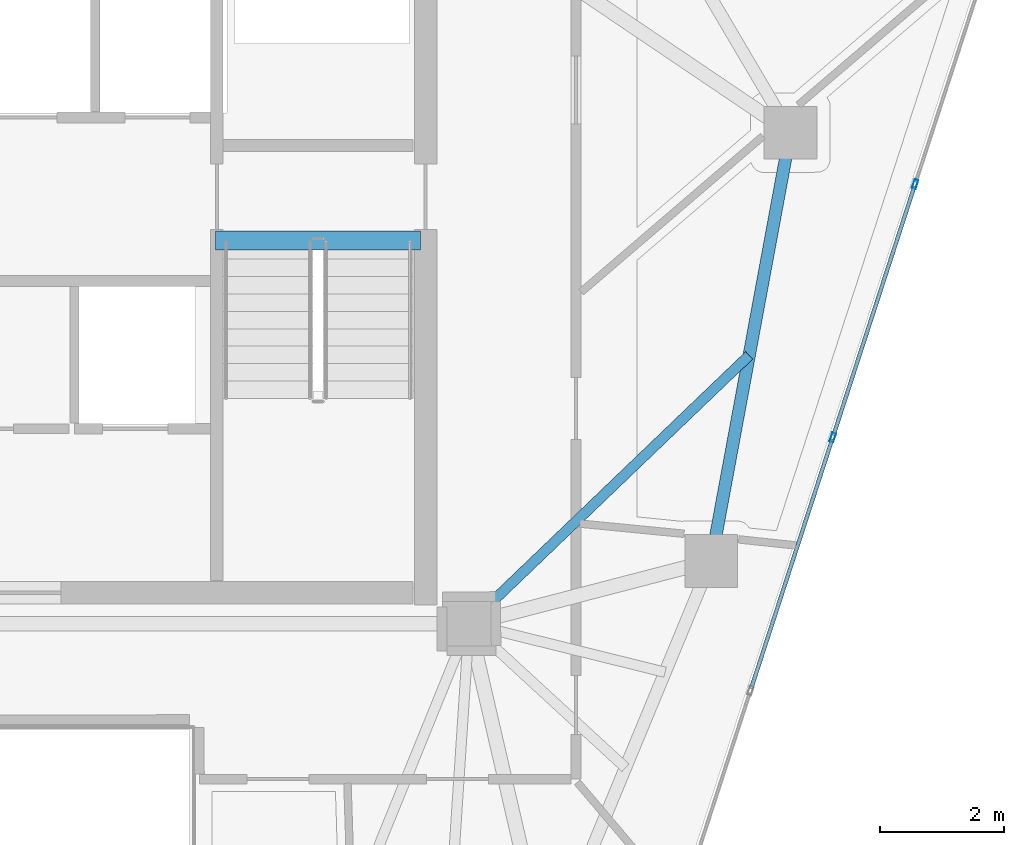
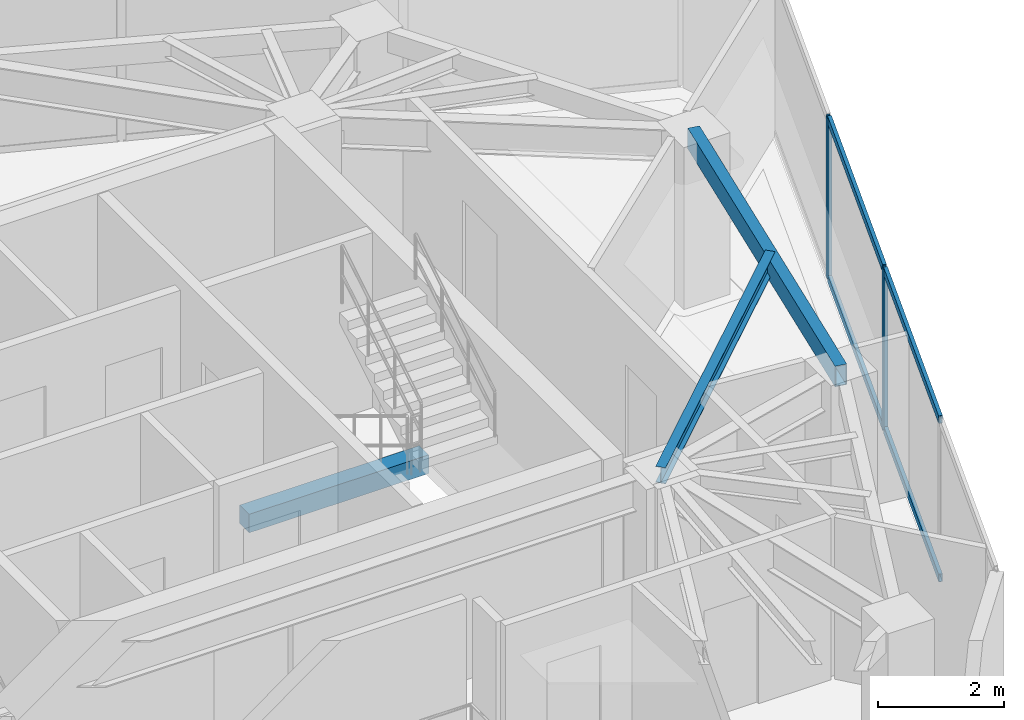
# One storey, part 12 of 20: 6 members, 3 beams, 1 element without a shape of its own.
"""IFC4 building model written with IfcOpenShell, lengths in metres."""

from ifc_helpers import new_model, si_unit, direction, frame, origin, origin_2d, place, context, subcontext, project, spatial, rectangle, hollow_rectangle, i_section, extrude, source, transform, mapped, material, layer, layer_set, material_profile, profile_set, type_object, type_shapes, element, aggregate, save


model = new_model("IFC4")

# Units and contexts
model_context = context("Model", 3, precision=1e-05, world=origin(), true_north=direction((0.0, 1.0)))
body_context = subcontext(model_context, "Body", "Model", "MODEL_VIEW")
ifc_project = project(units=[si_unit("LENGTHUNIT", "METRE"), si_unit("AREAUNIT", "SQUARE_METRE"), si_unit("VOLUMEUNIT", "CUBIC_METRE"), si_unit("PLANEANGLEUNIT", "RADIAN"), si_unit("MASSUNIT", "GRAM", prefix="KILO")], contexts=[model_context])

# Site, building, storey
site_placement = place(None, origin())
site = spatial("IfcSite", under=ifc_project, at=site_placement, CompositionType="ELEMENT")
building_placement = place(site_placement, origin())
building = spatial("IfcBuilding", under=site, at=building_placement, Name="Talar Marvaseh", CompositionType="ELEMENT")
storey_placement = place(building_placement, frame((0.0, 0.0, 261.199951171875)))
storey = spatial("IfcBuildingStorey", under=building, at=storey_placement, Name="L69", CompositionType="ELEMENT", Elevation=261.199951171875)

# Beams
ifc_material_1 = material(Name="Concrete C40/50", Category="concrete")
ifc_material_profile_1 = material_profile(ifc_material_1, rectangle(XDim=0.300048828125, YDim=0.360107421875, at=origin_2d()), Name="RC300x360")
ifc_profile_set_1 = profile_set([ifc_material_profile_1], Name="Concrete C40/50")
beam_type_1 = type_object("IfcBeamType", Name="Concrete Stair Landing Trimmer Beam RC300x360", PredefinedType="SPANDREL", material=ifc_profile_set_1)
beam_1_placement = place(storey_placement, frame((29.219970703125, 31.669921875, -0.179931640625), z_axis=(1.0, 0.0, 0.0), x_axis=(0.0, 1.0, 0.0)))
element("IfcBeam", 1, at=beam_1_placement, inside=storey, type_object=beam_type_1, Name="L69 ST-2 Stair Nosing Trimmer Beam", PredefinedType="SPANDREL", context=body_context, shape_type="SweptSolid", body=[
    extrude(rectangle(XDim=0.300048828125, YDim=0.360107421875, at=origin_2d()), origin(), (0.0, 0.0, 1.0), 3.300048828125),
])
ifc_material_2 = material(Name="Steel S355", Category="steel")
ifc_material_profile_2 = material_profile(ifc_material_2, hollow_rectangle(XDim=0.199951171875, YDim=0.39990234375, WallThickness=0.013916015625, at=origin_2d()), Name="RHS400x200x14")
ifc_profile_set_2 = profile_set([ifc_material_profile_2], Name="Steel S355")
beam_type_2 = type_object("IfcBeamType", Name="Zone 3 Perimeter Spandrel Beam RHS400x200x14", PredefinedType="SPANDREL", material=ifc_profile_set_2)
beam_2_placement = place(storey_placement, frame((38.470947265625, 33.406005859375, 2.93994140625), z_axis=(-0.181759950929, -0.983342931148, 0.0), x_axis=(0.983342931148, -0.181759950929, 0.0)))
element("IfcBeam", 2, at=beam_2_placement, inside=storey, type_object=beam_type_2, Name="L69 Zone 3 Perimeter Spandrel Beam RHS400x200x14", PredefinedType="SPANDREL", context=body_context, shape_type="SweptSolid", body=[
    extrude(hollow_rectangle(XDim=0.199951171875, YDim=0.39990234375, WallThickness=0.013916015625, at=origin_2d()), origin(), (0.0, 0.0, 1.0), 7.0087890625),
])
ifc_material_profile_3 = material_profile(ifc_material_2, i_section(OverallWidth=0.166015625, OverallDepth=0.31298828125, WebThickness=0.006591796875, FlangeThickness=0.01123046875, at=origin_2d()), Name="W310x45")
ifc_profile_set_3 = profile_set([ifc_material_profile_3], Name="Steel S355")
beam_type_3 = type_object("IfcBeamType", Name="Zone 3 Secondary Floor Joist W310x45", PredefinedType="JOIST", material=ifc_profile_set_3)
beam_3_placement = place(storey_placement, frame((37.80859375, 29.822265625, 2.983642578125), z_axis=(-0.721862081493, -0.692036946486, 0.0), x_axis=(0.692036946486, -0.721862081493, 0.0)))
element("IfcBeam", 3, at=beam_3_placement, inside=storey, type_object=beam_type_3, Name="L69 Zone 3 Secondary Floor Joist W310x45", PredefinedType="JOIST", context=body_context, shape_type="SweptSolid", body=[
    extrude(i_section(OverallWidth=0.166015625, OverallDepth=0.31298828125, WebThickness=0.006591796875, FlangeThickness=0.01123046875, at=origin_2d()), origin(), (0.0, 0.0, 1.0), 6.24560546875),
])

# Curtain wall, members
ifc_material_3 = material(Name="Architectural Aluminium", Category="aluminium")
ifc_layer = layer(ifc_material_3, 0.179931640625)
ifc_layer_set = layer_set([ifc_layer], Name="Architectural Aluminium")
curtain_wall_type = type_object("IfcCurtainWallType", Name="Unitised High-Wind Sky Curtain Wall Z4", PredefinedType="NOTDEFINED", material=ifc_layer_set)
curtain_wall_placement = place(storey_placement, origin())
curtain_wall = element("IfcCurtainWall", 4, at=curtain_wall_placement, inside=storey, type_object=curtain_wall_type, Name="L69 Unitised High-Wind Sky Curtain Wall Z4", PredefinedType="NOTDEFINED")
ifc_material_profile_4 = material_profile(ifc_material_3, hollow_rectangle(XDim=0.06494140625, YDim=0.14990234375, WallThickness=0.00390625, at=origin_2d()), Name="RHS150x65x4")
ifc_profile_set_4 = profile_set([ifc_material_profile_4], Name="Architectural Aluminium")
member_type_1 = type_object("IfcMemberType", Name="Unitised Curtain Wall Slim Transom RHS150x65x4", PredefinedType="USERDEFINED", material=ifc_profile_set_4)
shared_shape_1 = source(origin(), body_context, "Body", "SweptSolid", [
    extrude(hollow_rectangle(XDim=0.06494140625, YDim=0.14990234375, WallThickness=0.00390625, at=origin_2d()), origin(), (0.0, 0.0, 1.0), 4.221435546875),
])
member_1_placement = place(storey_placement, frame((39.143798828125, 28.470947265625, 0.032470703125), z_axis=(-0.309122688316, -0.951022167759, 0.0), x_axis=(0.951022167759, -0.309122688316, 0.0)))
member_1 = element("IfcMember", 5, at=member_1_placement, type_object=member_type_1, Name="CW-Z4 transom 3.1", ObjectType="TRANSOM", PredefinedType="USERDEFINED", context=body_context, shape_type="MappedRepresentation", body=[
    mapped(shared_shape_1, transform((0.0, 0.0, 0.0), x_axis=(1.0, 0.0, 0.0), y_axis=(0.0, 1.0, 0.0), z_axis=(0.0, 0.0, 1.0), scale=1.0)),
])
member_2_placement = place(storey_placement, frame((39.143798828125, 28.470947265625, 3.107666015625), z_axis=(-0.309122688316, -0.951022167759, 0.0), x_axis=(0.951022167759, -0.309122688316, 0.0)))
member_2 = element("IfcMember", 6, at=member_2_placement, type_object=member_type_1, Name="CW-Z4 transom 3.2", ObjectType="TRANSOM", PredefinedType="USERDEFINED", context=body_context, shape_type="MappedRepresentation", body=[
    mapped(shared_shape_1, transform((0.0, 0.0, 0.0), x_axis=(1.0, 0.0, 0.0), y_axis=(0.0, 1.0, 0.0), z_axis=(0.0, 0.0, 1.0), scale=1.0)),
])
shared_shape_2 = source(origin(), body_context, "Body", "SweptSolid", [
    extrude(hollow_rectangle(XDim=0.06494140625, YDim=0.14990234375, WallThickness=0.00390625, at=origin_2d()), origin(), (0.0, 0.0, 1.0), 4.22119140625),
])
type_shapes(member_type_1, [shared_shape_1, shared_shape_2])
member_3_placement = place(storey_placement, frame((40.468994140625, 32.547119140625, 0.032470703125), z_axis=(-0.309139691385, -0.951016640869, 0.0), x_axis=(0.951016640869, -0.309139691385, 0.0)))
member_3 = element("IfcMember", 7, at=member_3_placement, type_object=member_type_1, Name="CW-Z4 transom 2.1", ObjectType="TRANSOM", PredefinedType="USERDEFINED", context=body_context, shape_type="MappedRepresentation", body=[
    mapped(shared_shape_2, transform((0.0, 0.0, 0.0), x_axis=(1.0, 0.0, 0.0), y_axis=(0.0, 1.0, 0.0), z_axis=(0.0, 0.0, 1.0), scale=1.0)),
])
member_4_placement = place(storey_placement, frame((40.468994140625, 32.547119140625, 3.107666015625), z_axis=(-0.309139691385, -0.951016640869, 0.0), x_axis=(0.951016640869, -0.309139691385, 0.0)))
member_4 = element("IfcMember", 8, at=member_4_placement, type_object=member_type_1, Name="CW-Z4 transom 2.2", ObjectType="TRANSOM", PredefinedType="USERDEFINED", context=body_context, shape_type="MappedRepresentation", body=[
    mapped(shared_shape_2, transform((0.0, 0.0, 0.0), x_axis=(1.0, 0.0, 0.0), y_axis=(0.0, 1.0, 0.0), z_axis=(0.0, 0.0, 1.0), scale=1.0)),
])
ifc_material_profile_5 = material_profile(ifc_material_3, hollow_rectangle(XDim=0.06494140625, YDim=0.14990234375, WallThickness=0.00390625, at=origin_2d()), Name="RHS150x65x4")
ifc_profile_set_5 = profile_set([ifc_material_profile_5], Name="Architectural Aluminium")
member_type_2 = type_object("IfcMemberType", Name="Unitised Curtain Wall Slim Mullion RHS150x65x4", PredefinedType="MULLION", material=ifc_profile_set_5)
shared_shape_3 = source(origin(), body_context, "Body", "SweptSolid", [
    extrude(hollow_rectangle(XDim=0.06494140625, YDim=0.14990234375, WallThickness=0.00390625, at=origin_2d()), origin(), (0.0, 0.0, 1.0), 3.14013671875),
])
type_shapes(member_type_2, [shared_shape_3])
member_5_placement = place(storey_placement, frame((40.47900390625, 32.578125, 0.0), z_axis=(0.0, 0.0, 1.0), x_axis=(0.95100933406, -0.309162168659, 0.0)))
member_5 = element("IfcMember", 9, at=member_5_placement, type_object=member_type_2, Name="CW-Z4 mullion 2", PredefinedType="MULLION", context=body_context, shape_type="MappedRepresentation", body=[
    mapped(shared_shape_3, transform((0.0, 0.0, 0.0), x_axis=(1.0, 0.0, 0.0), y_axis=(0.0, 1.0, 0.0), z_axis=(0.0, 0.0, 1.0), scale=1.0)),
])
member_6_placement = place(storey_placement, frame((39.15380859375, 28.501708984375, 0.0), z_axis=(0.0, 0.0, 1.0), x_axis=(0.95100933406, -0.309162168659, 0.0)))
member_6 = element("IfcMember", 10, at=member_6_placement, type_object=member_type_2, Name="CW-Z4 mullion 3", PredefinedType="MULLION", context=body_context, shape_type="MappedRepresentation", body=[
    mapped(shared_shape_3, transform((0.0, 0.0, 0.0), x_axis=(1.0, 0.0, 0.0), y_axis=(0.0, 1.0, 0.0), z_axis=(0.0, 0.0, 1.0), scale=1.0)),
])
aggregate(curtain_wall, [member_5, member_6, member_3, member_4, member_1, member_2])

save(model, "model.ifc")
